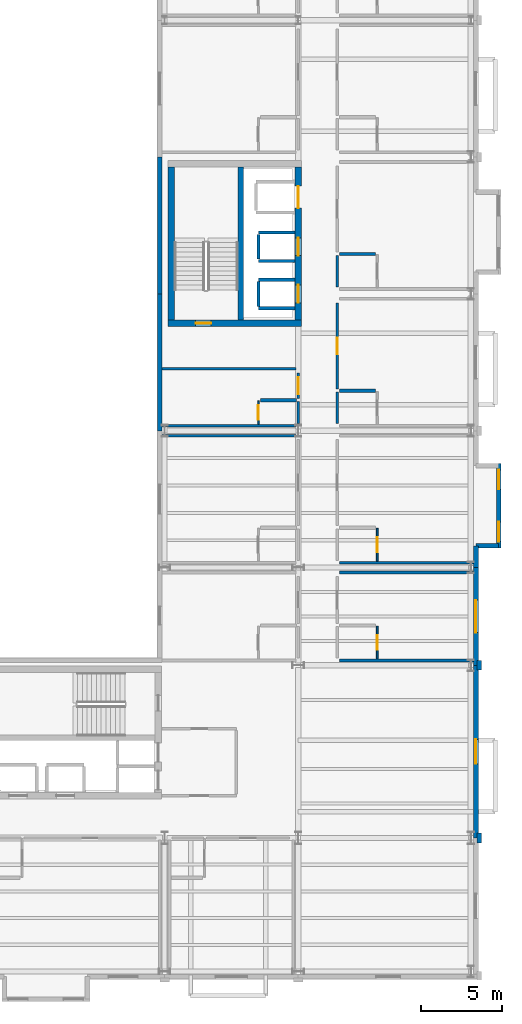
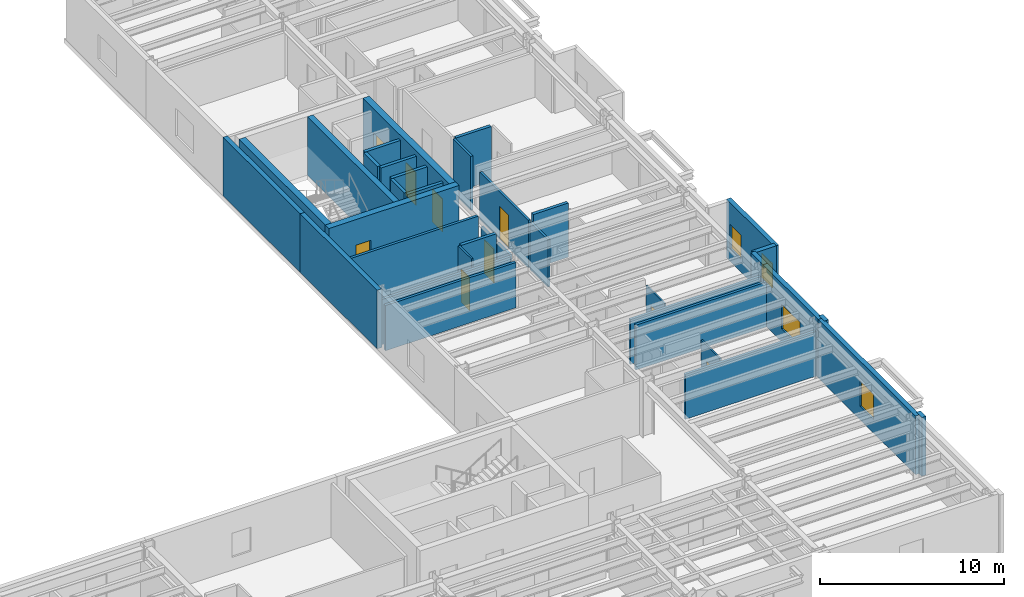
# One storey, part 49 of 59: 36 walls, 9 doors, 4 windows, 13 openings.
"""IFC4 building model written with IfcOpenShell, lengths in metres."""

from ifc_helpers import new_model, si_unit, direction, frame, frame_2d, origin, place, context, subcontext, project, spatial, rectangle, extrude, material, layer, layer_set, type_object, element, fill, save


model = new_model("IFC4")

# Units and contexts
model_context = context("Model", 3, precision=1e-05, world=origin(), true_north=direction((0.0, 1.0)))
body_context = subcontext(model_context, "Body", "Model", "MODEL_VIEW")
ifc_project = project(units=[si_unit("LENGTHUNIT", "METRE"), si_unit("AREAUNIT", "SQUARE_METRE"), si_unit("VOLUMEUNIT", "CUBIC_METRE"), si_unit("PLANEANGLEUNIT", "RADIAN"), si_unit("MASSUNIT", "GRAM", prefix="KILO")], contexts=[model_context])

# Site, building, storey
site_placement = place(None, origin())
site = spatial("IfcSite", under=ifc_project, at=site_placement, CompositionType="ELEMENT")
building_placement = place(site_placement, origin())
building = spatial("IfcBuilding", under=site, at=building_placement, Name="Sollismere Congress Hotel", CompositionType="ELEMENT")
storey_placement = place(building_placement, frame((0.0, 0.0, 15.60009765625)))
storey = spatial("IfcBuildingStorey", under=building, at=storey_placement, Name="L03", CompositionType="ELEMENT", Elevation=15.60009765625)

# Wall, opening, window
ifc_material_1 = material(Name="Colorado Buff Sandstone Rainscreen on Insulated Backup", Category="masonry")
ifc_layer_1 = layer(ifc_material_1, 0.284912109375, Name="Colorado Buff Sandstone Rainscreen on Insulated Backup")
ifc_layer_set_1 = layer_set([ifc_layer_1], Name="Colorado Buff Sandstone Rainscreen on Insulated Backup")
wall_type_1 = type_object("IfcWallType", Name="WL-EXT285", PredefinedType="STANDARD", material=ifc_layer_set_1)
wall_1_placement = place(storey_placement, frame((166.31005859375, 8.199951171875, 0.0), z_axis=(0.0, 0.0, 1.0), x_axis=(0.0, 1.0, 0.0)))
wall_1 = element("IfcWall", 1, at=wall_1_placement, inside=storey, type_object=wall_type_1, Name="Exterior wall EW-L03-435", PredefinedType="STANDARD", context=body_context, shape_type="SweptSolid", body=[
    extrude(rectangle(XDim=10.60009765625, YDim=0.284912109375, at=frame_2d((5.300048828125, 0.0))), origin(), (0.0, 0.0, 1.0), 3.89990234375),
])
opening_1_placement = place(wall_1_placement, frame((4.550048828125, 0.0, 0.8798828125)))
opening_1 = element("IfcOpeningElement", 2, at=opening_1_placement, cuts=wall_1, Name="Opening W-L03-338", PredefinedType="OPENING", context=body_context, shape_type="SweptSolid", body=[
    extrude(rectangle(XDim=1.5, YDim=1.699951171875, at=frame_2d((0.75, 0.85009765625))), frame((0.0, 0.15234375, 0.0), z_axis=(0.0, -1.0, 0.0), x_axis=(1.0, 0.0, 0.0)), (0.0, 0.0, 1.0), 0.304931640625),
])
ifc_material_2 = material(Name="Thermally Broken Bronze Aluminum & Low-E Glass", Category="aluminium")
window_type_1 = type_object("IfcWindowType", Name="WN-P150x170", PartitioningType="SINGLE_PANEL", PredefinedType="WINDOW", material=ifc_material_2)
window_1_placement = place(opening_1_placement, origin())
window_1 = element("IfcWindow", 3, at=window_1_placement, inside=storey, type_object=window_type_1, Name="WIN-W-L03-338", OverallHeight=1.699951171875, OverallWidth=1.5, PartitioningType="SINGLE_PANEL", PredefinedType="WINDOW", context=body_context, shape_type="SweptSolid", body=[
    extrude(rectangle(XDim=1.5, YDim=1.699951171875, at=frame_2d((0.75, 0.85009765625))), frame((0.0, 0.030029296875, 0.0), z_axis=(0.0, -1.0, 0.0), x_axis=(1.0, 0.0, 0.0)), (0.0, 0.0, 1.0), 0.06005859375),
])
fill(opening_1, window_1)

wall_2_placement = place(storey_placement, frame((166.31005859375, 18.800048828125, 0.0), z_axis=(0.0, 0.0, 1.0), x_axis=(0.0, 1.0, 0.0)))
wall_2 = element("IfcWall", 4, at=wall_2_placement, inside=storey, type_object=wall_type_1, Name="Exterior wall EW-L03-437", PredefinedType="STANDARD", context=body_context, shape_type="SweptSolid", body=[
    extrude(rectangle(XDim=6.0, YDim=0.284912109375, at=frame_2d((3.0, 0.0))), origin(), (0.0, 0.0, 1.0), 3.89990234375),
])
opening_2_placement = place(wall_2_placement, frame((2.0, 0.0, 0.85009765625)))
opening_2 = element("IfcOpeningElement", 5, at=opening_2_placement, cuts=wall_2, Name="Opening W-L03-339", PredefinedType="OPENING", context=body_context, shape_type="SweptSolid", body=[
    extrude(rectangle(XDim=2.0, YDim=1.64990234375, at=frame_2d((1.0, 0.824951171875))), frame((0.0, 0.15234375, 0.0), z_axis=(0.0, -1.0, 0.0), x_axis=(1.0, 0.0, 0.0)), (0.0, 0.0, 1.0), 0.304931640625),
])
window_type_2 = type_object("IfcWindowType", Name="WN-P200x165", PartitioningType="SINGLE_PANEL", PredefinedType="WINDOW", material=ifc_material_2)
window_2_placement = place(opening_2_placement, origin())
window_2 = element("IfcWindow", 6, at=window_2_placement, inside=storey, type_object=window_type_2, Name="WIN-W-L03-339", OverallHeight=1.64990234375, OverallWidth=2.0, PartitioningType="SINGLE_PANEL", PredefinedType="WINDOW", context=body_context, shape_type="SweptSolid", body=[
    extrude(rectangle(XDim=2.0, YDim=1.64990234375, at=frame_2d((1.0, 0.824951171875))), frame((0.0, 0.030029296875, 0.0), z_axis=(0.0, -1.0, 0.0), x_axis=(1.0, 0.0, 0.0)), (0.0, 0.0, 1.0), 0.06005859375),
])
fill(opening_2, window_2)

# Wall
wall_3_placement = place(storey_placement, frame((166.31005859375, 24.800048828125, 0.0), z_axis=(0.0, 0.0, 1.0), x_axis=(0.0, 1.0, 0.0)))
element("IfcWall", 7, at=wall_3_placement, inside=storey, type_object=wall_type_1, Name="Exterior wall EW-L03-439", PredefinedType="STANDARD", context=body_context, shape_type="SweptSolid", body=[
    extrude(rectangle(XDim=1.33984375, YDim=0.284912109375, at=frame_2d((0.669921875, 0.0))), origin(), (0.0, 0.0, 1.0), 3.89990234375),
])

# Wall, openings, windows
wall_4_placement = place(storey_placement, frame((167.699951171875, 26.0, 0.0), z_axis=(0.0, 0.0, 1.0), x_axis=(0.0, 1.0, 0.0)))
wall_4 = element("IfcWall", 8, at=wall_4_placement, inside=storey, type_object=wall_type_1, Name="Exterior wall EW-L03-441", PredefinedType="STANDARD", context=body_context, shape_type="SweptSolid", body=[
    extrude(rectangle(XDim=5.199951171875, YDim=0.284912109375, at=frame_2d((2.60009765625, 0.0))), origin(), (0.0, 0.0, 1.0), 3.89990234375),
])
opening_3_placement = place(wall_4_placement, frame((0.39990234375, 0.0, 0.85009765625)))
opening_3 = element("IfcOpeningElement", 9, at=opening_3_placement, cuts=wall_4, Name="Opening W-L03-340", PredefinedType="OPENING", context=body_context, shape_type="SweptSolid", body=[
    extrude(rectangle(XDim=1.199951171875, YDim=1.60009765625, at=frame_2d((0.60009765625, 0.800048828125))), frame((0.0, 0.15234375, 0.0), z_axis=(0.0, -1.0, 0.0), x_axis=(1.0, 0.0, 0.0)), (0.0, 0.0, 1.0), 0.304931640625),
])
opening_4_placement = place(wall_4_placement, frame((3.60009765625, 0.0, 0.85009765625)))
opening_4 = element("IfcOpeningElement", 10, at=opening_4_placement, cuts=wall_4, Name="Opening W-L03-341", PredefinedType="OPENING", context=body_context, shape_type="SweptSolid", body=[
    extrude(rectangle(XDim=1.199951171875, YDim=1.60009765625, at=frame_2d((0.60009765625, 0.800048828125))), frame((0.0, 0.15234375, 0.0), z_axis=(0.0, -1.0, 0.0), x_axis=(1.0, 0.0, 0.0)), (0.0, 0.0, 1.0), 0.304931640625),
])
window_type_3 = type_object("IfcWindowType", Name="WN-P120x160", PartitioningType="SINGLE_PANEL", PredefinedType="WINDOW", material=ifc_material_2)
window_3_placement = place(opening_3_placement, origin())
window_3 = element("IfcWindow", 11, at=window_3_placement, inside=storey, type_object=window_type_3, Name="WIN-W-L03-340", OverallHeight=1.60009765625, OverallWidth=1.199951171875, PartitioningType="SINGLE_PANEL", PredefinedType="WINDOW", context=body_context, shape_type="SweptSolid", body=[
    extrude(rectangle(XDim=1.199951171875, YDim=1.60009765625, at=frame_2d((0.60009765625, 0.800048828125))), frame((0.0, 0.030029296875, 0.0), z_axis=(0.0, -1.0, 0.0), x_axis=(1.0, 0.0, 0.0)), (0.0, 0.0, 1.0), 0.06005859375),
])
fill(opening_3, window_3)
window_4_placement = place(opening_4_placement, origin())
window_4 = element("IfcWindow", 12, at=window_4_placement, inside=storey, type_object=window_type_3, Name="WIN-W-L03-341", OverallHeight=1.60009765625, OverallWidth=1.199951171875, PartitioningType="SINGLE_PANEL", PredefinedType="WINDOW", context=body_context, shape_type="SweptSolid", body=[
    extrude(rectangle(XDim=1.199951171875, YDim=1.60009765625, at=frame_2d((0.60009765625, 0.800048828125))), frame((0.0, 0.030029296875, 0.0), z_axis=(0.0, -1.0, 0.0), x_axis=(1.0, 0.0, 0.0)), (0.0, 0.0, 1.0), 0.06005859375),
])
fill(opening_4, window_4)

# Walls
wall_5_placement = place(storey_placement, frame((166.31005859375, 26.139892578125, 0.0), z_axis=(0.0, 0.0, 1.0), x_axis=(1.0, 0.0, 0.0)))
element("IfcWall", 13, at=wall_5_placement, inside=storey, type_object=wall_type_1, Name="Exterior wall EW-L03-442", PredefinedType="STANDARD", context=body_context, shape_type="SweptSolid", body=[
    extrude(rectangle(XDim=1.389892578125, YDim=0.284912109375, at=frame_2d((0.69482421875, 0.0))), origin(), (0.0, 0.0, 1.0), 3.89990234375),
])
wall_6_placement = place(storey_placement, frame((146.889892578125, 33.199951171875, 0.0), z_axis=(0.0, 0.0, 1.0), x_axis=(0.0, 1.0, 0.0)))
element("IfcWall", 14, at=wall_6_placement, inside=storey, type_object=wall_type_1, Name="Exterior wall EW-L03-469", PredefinedType="STANDARD", context=body_context, shape_type="SweptSolid", body=[
    extrude(rectangle(XDim=8.400146484375, YDim=0.284912109375, at=frame_2d((4.2001953125, 0.0))), origin(), (0.0, 0.0, 1.0), 3.89990234375),
])
wall_7_placement = place(storey_placement, frame((146.889892578125, 41.60009765625, 0.0), z_axis=(0.0, 0.0, 1.0), x_axis=(0.0, 1.0, 0.0)))
element("IfcWall", 15, at=wall_7_placement, inside=storey, type_object=wall_type_1, Name="Exterior wall EW-L03-470", PredefinedType="STANDARD", context=body_context, shape_type="SweptSolid", body=[
    extrude(rectangle(XDim=8.39990234375, YDim=0.284912109375, at=frame_2d((4.199951171875, 0.0))), origin(), (0.0, 0.0, 1.0), 3.89990234375),
])
ifc_material_3 = material(Name="Carved Travertine Pilaster & Frieze Assembly", Category="masonry")
ifc_layer_2 = layer(ifc_material_3, 0.260009765625, Name="Carved Travertine Pilaster & Frieze Assembly")
ifc_layer_set_2 = layer_set([ifc_layer_2], Name="Carved Travertine Pilaster & Frieze Assembly")
wall_type_2 = type_object("IfcWallType", Name="WL-PIL280", PredefinedType="ELEMENTEDWALL", material=ifc_layer_set_2)
for number, where, z_axis, x_axis, name in (
    (16, (166.52001953125, 7.89990234375, 0.0), (0.0, 0.0, 1.0), (0.0, 1.0, 0.0), "Exterior wall EW-L03-436"),
    (17, (166.52001953125, 18.5, 0.0), (0.0, 0.0, 1.0), (0.0, 1.0, 0.0), "Exterior wall EW-L03-438"),
):
    element("IfcWall", number, at=place(storey_placement, frame(where, z_axis=z_axis, x_axis=x_axis)), inside=storey, type_object=wall_type_2, Name=name, PredefinedType="ELEMENTEDWALL", context=body_context, shape_type="SweptSolid", body=[
        extrude(rectangle(XDim=0.60009765625, YDim=0.260009765625, at=frame_2d((0.300048828125, 0.0))), origin(), (0.0, 0.0, 1.0), 3.89990234375),
    ])
ifc_material_4 = material(Name="Moisture-Resistant Shaft Gypsum Assembly")
ifc_layer_3 = layer(ifc_material_4, 0.199951171875, Name="Moisture-Resistant Shaft Gypsum Assembly")
ifc_layer_set_3 = layer_set([ifc_layer_3], Name="Moisture-Resistant Shaft Gypsum Assembly")
wall_type_3 = type_object("IfcWallType", Name="WL-PLM200", PredefinedType="PLUMBINGWALL", material=ifc_layer_set_3)
for number, where, z_axis, x_axis, name in (
    (18, (152.955078125, 40.72998046875, 0.0), (0.0, 0.0, 1.0), (1.0, 0.0, 0.0), "Interior wall IW-L03-0439"),
    (19, (152.955078125, 42.469970703125, 0.0), (0.0, 0.0, 1.0), (1.0, 0.0, 0.0), "Interior wall IW-L03-0440"),
):
    element("IfcWall", number, at=place(storey_placement, frame(where, z_axis=z_axis, x_axis=x_axis)), inside=storey, type_object=wall_type_3, Name=name, PredefinedType="PLUMBINGWALL", context=body_context, shape_type="SweptSolid", body=[
        extrude(rectangle(XDim=2.23291015625, YDim=0.199951171875, at=frame_2d((1.116455078125, 0.0))), origin(), (0.0, 0.0, 1.0), 3.599853515625),
    ])
wall_8_placement = place(storey_placement, frame((152.955078125, 40.842041015625, 0.0), z_axis=(0.0, 0.0, 1.0), x_axis=(0.0, 1.0, 0.0)))
element("IfcWall", 20, at=wall_8_placement, inside=storey, type_object=wall_type_3, Name="Interior wall IW-L03-0441", PredefinedType="PLUMBINGWALL", context=body_context, shape_type="SweptSolid", body=[
    extrude(rectangle(XDim=1.515869140625, YDim=0.199951171875, at=frame_2d((0.7578125, 0.0))), origin(), (0.0, 0.0, 1.0), 3.599853515625),
])
for number, where, z_axis, x_axis, name in (
    (21, (152.955078125, 43.6298828125, 0.0), (0.0, 0.0, 1.0), (1.0, 0.0, 0.0), "Interior wall IW-L03-0442"),
    (22, (152.955078125, 45.3701171875, 0.0), (0.0, 0.0, 1.0), (1.0, 0.0, 0.0), "Interior wall IW-L03-0443"),
):
    element("IfcWall", number, at=place(storey_placement, frame(where, z_axis=z_axis, x_axis=x_axis)), inside=storey, type_object=wall_type_3, Name=name, PredefinedType="PLUMBINGWALL", context=body_context, shape_type="SweptSolid", body=[
        extrude(rectangle(XDim=2.23291015625, YDim=0.199951171875, at=frame_2d((1.116455078125, 0.0))), origin(), (0.0, 0.0, 1.0), 3.599853515625),
    ])
wall_9_placement = place(storey_placement, frame((152.955078125, 43.741943359375, 0.0), z_axis=(0.0, 0.0, 1.0), x_axis=(0.0, 1.0, 0.0)))
element("IfcWall", 23, at=wall_9_placement, inside=storey, type_object=wall_type_3, Name="Interior wall IW-L03-0444", PredefinedType="PLUMBINGWALL", context=body_context, shape_type="SweptSolid", body=[
    extrude(rectangle(XDim=1.51611328125, YDim=0.199951171875, at=frame_2d((0.758056640625, 0.0))), origin(), (0.0, 0.0, 1.0), 3.599853515625),
])
for number, where, z_axis, x_axis, name in (
    (24, (157.919921875, 35.64990234375, 0.0), (0.0, 0.0, 1.0), (1.0, 0.0, 0.0), "Interior wall IW-L03-1399"),
    (25, (153.070068359375, 35.074951171875, 0.0), (0.0, 0.0, 1.0), (1.0, 0.0, 0.0), "Interior wall IW-L03-1405"),
    (26, (157.919921875, 44.050048828125, 0.0), (0.0, 0.0, 1.0), (1.0, 0.0, 0.0), "Interior wall IW-L03-1411"),
):
    element("IfcWall", number, at=place(storey_placement, frame(where, z_axis=z_axis, x_axis=x_axis)), inside=storey, type_object=wall_type_3, Name=name, PredefinedType="PLUMBINGWALL", context=body_context, shape_type="SweptSolid", body=[
        extrude(rectangle(XDim=2.2099609375, YDim=0.199951171875, at=frame_2d((1.10498046875, 0.0))), origin(), (0.0, 0.0, 1.0), 3.599853515625),
    ])

# Wall, opening, door
ifc_material_5 = material(Name="Moisture-Resistant Gypsum Partition")
ifc_layer_4 = layer(ifc_material_5, 0.10009765625, Name="Moisture-Resistant Gypsum Partition")
ifc_layer_set_4 = layer_set([ifc_layer_4], Name="Moisture-Resistant Gypsum Partition")
wall_type_4 = type_object("IfcWallType", Name="WL-PRT100", PredefinedType="PARTITIONING", material=ifc_layer_set_4)
wall_10_placement = place(storey_placement, frame((160.25, 19.194580078125, 0.0), z_axis=(0.0, 0.0, 1.0), x_axis=(0.0, 1.0, 0.0)))
wall_10 = element("IfcWall", 27, at=wall_10_placement, inside=storey, type_object=wall_type_4, Name="Interior wall IW-L03-1376", PredefinedType="PARTITIONING", context=body_context, shape_type="SweptSolid", body=[
    extrude(rectangle(XDim=2.015380859375, YDim=0.10009765625, at=frame_2d((1.0078125, 0.0))), origin(), (0.0, 0.0, 1.0), 3.157958984375),
])
opening_5_placement = place(wall_10_placement, frame((0.568115234375, 0.0, 0.0)))
opening_5 = element("IfcOpeningElement", 28, at=opening_5_placement, cuts=wall_10, Name="Opening D-L03-0486", PredefinedType="OPENING", context=body_context, shape_type="SweptSolid", body=[
    extrude(rectangle(XDim=0.8798828125, YDim=2.10009765625, at=frame_2d((0.43994140625, 1.050048828125))), frame((0.0, 0.06005859375, 0.0), z_axis=(0.0, -1.0, 0.0), x_axis=(1.0, 0.0, 0.0)), (0.0, 0.0, 1.0), 0.1201171875),
])
ifc_material_6 = material(Name="Moisture-Sealed Timber Bathroom Door", Category="wood")
door_type_1 = type_object("IfcDoorType", Name="DR-BT01", OperationType="NOTDEFINED", PredefinedType="DOOR", material=ifc_material_6)
door_1_placement = place(opening_5_placement, origin())
door_1 = element("IfcDoor", 29, at=door_1_placement, inside=storey, type_object=door_type_1, Name="En-suite bathroom door D-L03-0486", OperationType="SINGLE_SWING_LEFT", OverallHeight=2.10009765625, OverallWidth=0.8798828125, PredefinedType="DOOR", context=body_context, shape_type="SweptSolid", body=[
    extrude(rectangle(XDim=0.8798828125, YDim=2.10009765625, at=frame_2d((0.43994140625, 1.050048828125))), frame((0.0, 0.02490234375, 0.0), z_axis=(0.0, -1.0, 0.0), x_axis=(1.0, 0.0, 0.0)), (0.0, 0.0, 1.0), 0.050048828125),
])
fill(opening_5, door_1)

wall_11_placement = place(storey_placement, frame((160.25, 25.194580078125, 0.0), z_axis=(0.0, 0.0, 1.0), x_axis=(0.0, 1.0, 0.0)))
wall_11 = element("IfcWall", 30, at=wall_11_placement, inside=storey, type_object=wall_type_4, Name="Interior wall IW-L03-1388", PredefinedType="PARTITIONING", context=body_context, shape_type="SweptSolid", body=[
    extrude(rectangle(XDim=2.015380859375, YDim=0.10009765625, at=frame_2d((1.0078125, 0.0))), origin(), (0.0, 0.0, 1.0), 3.157958984375),
])
opening_6_placement = place(wall_11_placement, frame((0.54296875, 0.0, 0.0)))
opening_6 = element("IfcOpeningElement", 31, at=opening_6_placement, cuts=wall_11, Name="Opening D-L03-0490", PredefinedType="OPENING", context=body_context, shape_type="SweptSolid", body=[
    extrude(rectangle(XDim=0.929931640625, YDim=2.139892578125, at=frame_2d((0.46484375, 1.06982421875))), frame((0.0, 0.06005859375, 0.0), z_axis=(0.0, -1.0, 0.0), x_axis=(1.0, 0.0, 0.0)), (0.0, 0.0, 1.0), 0.1201171875),
])
door_type_2 = type_object("IfcDoorType", Name="DR-BT03", OperationType="NOTDEFINED", PredefinedType="DOOR", material=ifc_material_6)
door_2_placement = place(opening_6_placement, origin())
door_2 = element("IfcDoor", 32, at=door_2_placement, inside=storey, type_object=door_type_2, Name="En-suite bathroom door D-L03-0490", OperationType="SINGLE_SWING_LEFT", OverallHeight=2.139892578125, OverallWidth=0.929931640625, PredefinedType="DOOR", context=body_context, shape_type="SweptSolid", body=[
    extrude(rectangle(XDim=0.929931640625, YDim=2.139892578125, at=frame_2d((0.46484375, 1.06982421875))), frame((0.0, 0.02490234375, 0.0), z_axis=(0.0, -1.0, 0.0), x_axis=(1.0, 0.0, 0.0)), (0.0, 0.0, 1.0), 0.050048828125),
])
fill(opening_6, door_2)

wall_12_placement = place(storey_placement, frame((152.949951171875, 33.594482421875, 0.0), z_axis=(0.0, 0.0, 1.0), x_axis=(0.0, 1.0, 0.0)))
wall_12 = element("IfcWall", 33, at=wall_12_placement, inside=storey, type_object=wall_type_4, Name="Interior wall IW-L03-1406", PredefinedType="PARTITIONING", context=body_context, shape_type="SweptSolid", body=[
    extrude(rectangle(XDim=1.4404296875, YDim=0.10009765625, at=frame_2d((0.72021484375, 0.0))), origin(), (0.0, 0.0, 1.0), 3.599853515625),
])
opening_7_placement = place(wall_12_placement, frame((0.26806640625, 0.0, 0.0)))
opening_7 = element("IfcOpeningElement", 34, at=opening_7_placement, cuts=wall_12, Name="Opening D-L03-0496", PredefinedType="OPENING", context=body_context, shape_type="SweptSolid", body=[
    extrude(rectangle(XDim=0.905029296875, YDim=2.179931640625, at=frame_2d((0.45263671875, 1.08984375))), frame((0.0, 0.06005859375, 0.0), z_axis=(0.0, -1.0, 0.0), x_axis=(1.0, 0.0, 0.0)), (0.0, 0.0, 1.0), 0.1201171875),
])
door_type_3 = type_object("IfcDoorType", Name="DR-BT06", OperationType="NOTDEFINED", PredefinedType="DOOR", material=ifc_material_6)
door_3_placement = place(opening_7_placement, origin())
door_3 = element("IfcDoor", 35, at=door_3_placement, inside=storey, type_object=door_type_3, Name="En-suite bathroom door D-L03-0496", OperationType="SINGLE_SWING_LEFT", OverallHeight=2.179931640625, OverallWidth=0.905029296875, PredefinedType="DOOR", context=body_context, shape_type="SweptSolid", body=[
    extrude(rectangle(XDim=0.905029296875, YDim=2.179931640625, at=frame_2d((0.45263671875, 1.08984375))), frame((0.0, 0.02490234375, 0.0), z_axis=(0.0, -1.0, 0.0), x_axis=(1.0, 0.0, 0.0)), (0.0, 0.0, 1.0), 0.050048828125),
])
fill(opening_7, door_3)

# Wall
ifc_material_7 = material(Name="Fire-Rated Gypsum Partition")
ifc_layer_5 = layer(ifc_material_7, 0.139892578125, Name="Fire-Rated Gypsum Partition")
ifc_layer_set_5 = layer_set([ifc_layer_5], Name="Fire-Rated Gypsum Partition")
wall_type_5 = type_object("IfcWallType", Name="WL-PRT140R", PredefinedType="PARTITIONING", material=ifc_layer_set_5)
wall_13_placement = place(storey_placement, frame((157.800048828125, 33.639892578125, 0.0), z_axis=(0.0, 0.0, 1.0), x_axis=(0.0, 1.0, 0.0)))
element("IfcWall", 36, at=wall_13_placement, inside=storey, type_object=wall_type_5, Name="Interior wall IW-L03-1395", PredefinedType="PARTITIONING", context=body_context, shape_type="SweptSolid", body=[
    extrude(rectangle(XDim=1.93017578125, YDim=0.139892578125, at=frame_2d((0.965087890625, 0.0))), origin(), (0.0, 0.0, 1.0), 3.15283203125),
])

# Wall, opening, door
wall_14_placement = place(storey_placement, frame((157.800048828125, 35.77001953125, 0.0), z_axis=(0.0, 0.0, 1.0), x_axis=(0.0, 1.0, 0.0)))
wall_14 = element("IfcWall", 37, at=wall_14_placement, inside=storey, type_object=wall_type_5, Name="Interior wall IW-L03-1396", PredefinedType="PARTITIONING", context=body_context, shape_type="SweptSolid", body=[
    extrude(rectangle(XDim=5.2900390625, YDim=0.139892578125, at=frame_2d((2.64501953125, 0.0))), origin(), (0.0, 0.0, 1.0), 3.15283203125),
])
opening_8_placement = place(wall_14_placement, frame((2.139892578125, 0.0, 0.0)))
opening_8 = element("IfcOpeningElement", 38, at=opening_8_placement, cuts=wall_14, Name="Opening D-L03-0493", PredefinedType="OPENING", context=body_context, shape_type="SweptSolid", body=[
    extrude(rectangle(XDim=1.010009765625, YDim=2.199951171875, at=frame_2d((0.5048828125, 1.10009765625))), frame((0.0, 0.079833984375, 0.0), z_axis=(0.0, -1.0, 0.0), x_axis=(1.0, 0.0, 0.0)), (0.0, 0.0, 1.0), 0.159912109375),
])
ifc_material_8 = material(Name="Solid-Core Acoustic Walnut Guestroom Entry Door")
door_type_4 = type_object("IfcDoorType", Name="DR-KY04", OperationType="NOTDEFINED", PredefinedType="DOOR", material=ifc_material_8)
door_4_placement = place(opening_8_placement, origin())
door_4 = element("IfcDoor", 39, at=door_4_placement, inside=storey, type_object=door_type_4, Name="Hotel room entry door D-L03-0493", OperationType="SINGLE_SWING_RIGHT", OverallHeight=2.199951171875, OverallWidth=1.010009765625, PredefinedType="DOOR", context=body_context, shape_type="SweptSolid", body=[
    extrude(rectangle(XDim=1.010009765625, YDim=2.199951171875, at=frame_2d((0.5048828125, 1.10009765625))), frame((0.0, 0.02490234375, 0.0), z_axis=(0.0, -1.0, 0.0), x_axis=(1.0, 0.0, 0.0)), (0.0, 0.0, 1.0), 0.050048828125),
])
fill(opening_8, door_4)

# Wall
wall_15_placement = place(storey_placement, frame((155.39990234375, 33.639892578125, 0.0), z_axis=(0.0, 0.0, 1.0), x_axis=(0.0, 1.0, 0.0)))
element("IfcWall", 40, at=wall_15_placement, inside=storey, type_object=wall_type_5, Name="Interior wall IW-L03-1401", PredefinedType="PARTITIONING", context=body_context, shape_type="SweptSolid", body=[
    extrude(rectangle(XDim=1.355224609375, YDim=0.139892578125, at=frame_2d((0.677734375, 0.0))), origin(), (0.0, 0.0, 1.0), 2.989990234375),
])

# Wall, opening, door
wall_16_placement = place(storey_placement, frame((155.39990234375, 35.195068359375, 0.0), z_axis=(0.0, 0.0, 1.0), x_axis=(0.0, 1.0, 0.0)))
wall_16 = element("IfcWall", 41, at=wall_16_placement, inside=storey, type_object=wall_type_5, Name="Interior wall IW-L03-1402", PredefinedType="PARTITIONING", context=body_context, shape_type="SweptSolid", body=[
    extrude(rectangle(XDim=1.56494140625, YDim=0.139892578125, at=frame_2d((0.782470703125, 0.0))), origin(), (0.0, 0.0, 1.0), 2.989990234375),
])
opening_9_placement = place(wall_16_placement, frame((0.261962890625, 0.0, 0.0)))
opening_9 = element("IfcOpeningElement", 42, at=opening_9_placement, cuts=wall_16, Name="Opening D-L03-0495", PredefinedType="OPENING", context=body_context, shape_type="SweptSolid", body=[
    extrude(rectangle(XDim=1.0400390625, YDim=2.25, at=frame_2d((0.52001953125, 1.125))), frame((0.0, 0.079833984375, 0.0), z_axis=(0.0, -1.0, 0.0), x_axis=(1.0, 0.0, 0.0)), (0.0, 0.0, 1.0), 0.159912109375),
])
door_type_5 = type_object("IfcDoorType", Name="DR-KY05", OperationType="NOTDEFINED", PredefinedType="DOOR", material=ifc_material_8)
door_5_placement = place(opening_9_placement, origin())
door_5 = element("IfcDoor", 43, at=door_5_placement, inside=storey, type_object=door_type_5, Name="Hotel room entry door D-L03-0495", OperationType="SINGLE_SWING_RIGHT", OverallHeight=2.25, OverallWidth=1.0400390625, PredefinedType="DOOR", context=body_context, shape_type="SweptSolid", body=[
    extrude(rectangle(XDim=1.0400390625, YDim=2.25, at=frame_2d((0.52001953125, 1.125))), frame((0.0, 0.02490234375, 0.0), z_axis=(0.0, -1.0, 0.0), x_axis=(1.0, 0.0, 0.0)), (0.0, 0.0, 1.0), 0.050048828125),
])
fill(opening_9, door_5)

# Walls
wall_17_placement = place(storey_placement, frame((157.800048828125, 42.0400390625, 0.0), z_axis=(0.0, 0.0, 1.0), x_axis=(0.0, 1.0, 0.0)))
element("IfcWall", 44, at=wall_17_placement, inside=storey, type_object=wall_type_5, Name="Interior wall IW-L03-1407", PredefinedType="PARTITIONING", context=body_context, shape_type="SweptSolid", body=[
    extrude(rectangle(XDim=1.929931640625, YDim=0.139892578125, at=frame_2d((0.96484375, 0.0))), origin(), (0.0, 0.0, 1.0), 3.599853515625),
])
ifc_material_9 = material(Name="Fire-Rated Acoustic Gypsum Partition")
ifc_layer_6 = layer(ifc_material_9, 0.1650390625, Name="Fire-Rated Acoustic Gypsum Partition")
ifc_layer_set_6 = layer_set([ifc_layer_6], Name="Fire-Rated Acoustic Gypsum Partition")
wall_type_6 = type_object("IfcWallType", Name="WL-PRT165R", PredefinedType="PARTITIONING", material=ifc_layer_set_6)
for number, where, z_axis, x_axis, name in (
    (45, (157.93994140625, 19.10009765625, 0.0), (0.0, 0.0, 1.0), (1.0, 0.0, 0.0), "Interior wall IW-L03-1373"),
    (46, (157.93994140625, 24.5, 0.0), (0.0, 0.0, 1.0), (1.0, 0.0, 0.0), "Interior wall IW-L03-1374"),
    (47, (157.93994140625, 25.10009765625, 0.0), (0.0, 0.0, 1.0), (1.0, 0.0, 0.0), "Interior wall IW-L03-1385"),
):
    element("IfcWall", number, at=place(storey_placement, frame(where, z_axis=z_axis, x_axis=x_axis)), inside=storey, type_object=wall_type_6, Name=name, PredefinedType="PARTITIONING", context=body_context, shape_type="SweptSolid", body=[
        extrude(rectangle(XDim=8.212646484375, YDim=0.1650390625, at=frame_2d((4.1064453125, 0.0))), origin(), (0.0, 0.0, 1.0), 2.989990234375),
    ])
for number, where, z_axis, x_axis, name in (
    (48, (147.047607421875, 32.89990234375, 0.0), (0.0, 0.0, 1.0), (1.0, 0.0, 0.0), "Interior wall IW-L03-1392"),
    (49, (147.047607421875, 33.5, 0.0), (0.0, 0.0, 1.0), (1.0, 0.0, 0.0), "Interior wall IW-L03-1403"),
):
    element("IfcWall", number, at=place(storey_placement, frame(where, z_axis=z_axis, x_axis=x_axis)), inside=storey, type_object=wall_type_6, Name=name, PredefinedType="PARTITIONING", context=body_context, shape_type="SweptSolid", body=[
        extrude(rectangle(XDim=8.21240234375, YDim=0.1650390625, at=frame_2d((4.106201171875, 0.0))), origin(), (0.0, 0.0, 1.0), 3.012939453125),
    ])
wall_18_placement = place(storey_placement, frame((147.047607421875, 37.0, 0.0), z_axis=(0.0, 0.0, 1.0), x_axis=(1.0, 0.0, 0.0)))
element("IfcWall", 50, at=wall_18_placement, inside=storey, type_object=wall_type_6, Name="Interior wall IW-L03-1404", PredefinedType="PARTITIONING", context=body_context, shape_type="SweptSolid", body=[
    extrude(rectangle(XDim=8.21240234375, YDim=0.1650390625, at=frame_2d((4.106201171875, 0.0))), origin(), (0.0, 0.0, 1.0), 3.599853515625),
])
ifc_material_10 = material(Name="Concrete C50/60", Category="concrete")
ifc_layer_7 = layer(ifc_material_10, 0.35009765625, Name="Concrete C50/60")
ifc_layer_set_7 = layer_set([ifc_layer_7], Name="Concrete C50/60")
wall_type_7 = type_object("IfcWallType", Name="WL-SHR350", PredefinedType="SHEAR", material=ifc_layer_set_7)
wall_19_placement = place(storey_placement, frame((151.875, 40.0, 0.0), z_axis=(0.0, 0.0, 1.0), x_axis=(0.0, 1.0, 0.0)))
element("IfcWall", 51, at=wall_19_placement, inside=storey, type_object=wall_type_7, Name="Interior wall IW-L03-0438", PredefinedType="SHEAR", context=body_context, shape_type="SweptSolid", body=[
    extrude(rectangle(XDim=9.39990234375, YDim=0.35009765625, at=frame_2d((4.699951171875, 0.0))), origin(), (0.0, 0.0, 1.0), 3.89990234375),
])

# Wall, opening, door
ifc_layer_8 = layer(ifc_material_10, 0.39990234375, Name="Concrete C50/60")
ifc_layer_set_8 = layer_set([ifc_layer_8], Name="Concrete C50/60")
wall_type_8 = type_object("IfcWallType", Name="WL-SHR400", PredefinedType="SHEAR", material=ifc_layer_set_8)
wall_20_placement = place(storey_placement, frame((147.39990234375, 39.800048828125, 0.0), z_axis=(0.0, 0.0, 1.0), x_axis=(1.0, 0.0, 0.0)))
wall_20 = element("IfcWall", 52, at=wall_20_placement, inside=storey, type_object=wall_type_8, Name="Interior wall IW-L03-0434", PredefinedType="SHEAR", context=body_context, shape_type="SweptSolid", body=[
    extrude(rectangle(XDim=8.2001953125, YDim=0.39990234375, at=frame_2d((4.10009765625, 0.0))), origin(), (0.0, 0.0, 1.0), 3.89990234375),
])
opening_10_placement = place(wall_20_placement, frame((1.699951171875, 0.0, 0.0)))
opening_10 = element("IfcOpeningElement", 53, at=opening_10_placement, cuts=wall_20, Name="Opening D-ST-03-L03", PredefinedType="OPENING", context=body_context, shape_type="SweptSolid", body=[
    extrude(rectangle(XDim=0.949951171875, YDim=2.199951171875, at=frame_2d((0.47509765625, 1.10009765625))), frame((0.0, 0.2099609375, 0.0), z_axis=(0.0, -1.0, 0.0), x_axis=(1.0, 0.0, 0.0)), (0.0, 0.0, 1.0), 0.419921875),
])
ifc_material_11 = material(Name="Fire-Rated Insulated Steel Door", Category="steel")
door_type_6 = type_object("IfcDoorType", Name="DR-FD90", OperationType="NOTDEFINED", PredefinedType="DOOR", material=ifc_material_11)
door_6_placement = place(opening_10_placement, origin())
door_6 = element("IfcDoor", 54, at=door_6_placement, inside=storey, type_object=door_type_6, Name="Exit stair fire door D-ST-03-L03", OperationType="SINGLE_SWING_LEFT", OverallHeight=2.199951171875, OverallWidth=0.949951171875, PredefinedType="DOOR", context=body_context, shape_type="SweptSolid", body=[
    extrude(rectangle(XDim=0.949951171875, YDim=2.199951171875, at=frame_2d((0.47509765625, 1.10009765625))), frame((0.0, 0.02490234375, 0.0), z_axis=(0.0, -1.0, 0.0), x_axis=(1.0, 0.0, 0.0)), (0.0, 0.0, 1.0), 0.050048828125),
])
fill(opening_10, door_6)

# Wall
wall_21_placement = place(storey_placement, frame((147.60009765625, 49.39990234375, 0.0), z_axis=(0.0, 0.0, 1.0), x_axis=(0.0, -1.0, 0.0)))
element("IfcWall", 55, at=wall_21_placement, inside=storey, type_object=wall_type_8, Name="Interior wall IW-L03-0436", PredefinedType="SHEAR", context=body_context, shape_type="SweptSolid", body=[
    extrude(rectangle(XDim=9.39990234375, YDim=0.39990234375, at=frame_2d((4.699951171875, 0.0))), origin(), (0.0, 0.0, 1.0), 3.89990234375),
])

# Wall, openings, doors
wall_22_placement = place(storey_placement, frame((155.39990234375, 40.0, 0.0), z_axis=(0.0, 0.0, 1.0), x_axis=(0.0, 1.0, 0.0)))
wall_22 = element("IfcWall", 56, at=wall_22_placement, inside=storey, type_object=wall_type_8, Name="Interior wall IW-L03-0437", PredefinedType="SHEAR", context=body_context, shape_type="SweptSolid", body=[
    extrude(rectangle(XDim=9.39990234375, YDim=0.39990234375, at=frame_2d((4.699951171875, 0.0))), origin(), (0.0, 0.0, 1.0), 3.89990234375),
])
opening_11_placement = place(wall_22_placement, frame((1.050048828125, 0.0, 0.0)))
opening_11 = element("IfcOpeningElement", 57, at=opening_11_placement, cuts=wall_22, Name="Opening LD-LP-05-L03", PredefinedType="OPENING", context=body_context, shape_type="SweptSolid", body=[
    extrude(rectangle(XDim=1.10009765625, YDim=2.199951171875, at=frame_2d((0.550048828125, 1.10009765625))), frame((0.0, 0.2099609375, 0.0), z_axis=(0.0, -1.0, 0.0), x_axis=(1.0, 0.0, 0.0)), (0.0, 0.0, 1.0), 0.419921875),
])
opening_12_placement = place(wall_22_placement, frame((3.949951171875, 0.0, 0.0)))
opening_12 = element("IfcOpeningElement", 58, at=opening_12_placement, cuts=wall_22, Name="Opening LD-LP-06-L03", PredefinedType="OPENING", context=body_context, shape_type="SweptSolid", body=[
    extrude(rectangle(XDim=1.10009765625, YDim=2.199951171875, at=frame_2d((0.550048828125, 1.10009765625))), frame((0.0, 0.2099609375, 0.0), z_axis=(0.0, -1.0, 0.0), x_axis=(1.0, 0.0, 0.0)), (0.0, 0.0, 1.0), 0.419921875),
])
opening_13_placement = place(wall_22_placement, frame((6.875, 0.0, 0.0)))
opening_13 = element("IfcOpeningElement", 59, at=opening_13_placement, cuts=wall_22, Name="Opening LD-LS-02-L03", PredefinedType="OPENING", context=body_context, shape_type="SweptSolid", body=[
    extrude(rectangle(XDim=1.35009765625, YDim=2.300048828125, at=frame_2d((0.675048828125, 1.14990234375))), frame((0.0, 0.2099609375, 0.0), z_axis=(0.0, -1.0, 0.0), x_axis=(1.0, 0.0, 0.0)), (0.0, 0.0, 1.0), 0.419921875),
])
ifc_material_12 = material(Name="Brushed Bronze Sliding Elevator Landing Door")
door_type_7 = type_object("IfcDoorType", Name="DR-LD110", OperationType="NOTDEFINED", PredefinedType="DOOR", material=ifc_material_12)
door_7_placement = place(opening_11_placement, origin())
door_7 = element("IfcDoor", 60, at=door_7_placement, inside=storey, type_object=door_type_7, Name="Elevator landing door LD-LP-05-L03", OperationType="SLIDING_TO_LEFT", OverallHeight=2.199951171875, OverallWidth=1.10009765625, PredefinedType="DOOR", context=body_context, shape_type="SweptSolid", body=[
    extrude(rectangle(XDim=1.10009765625, YDim=2.199951171875, at=frame_2d((0.550048828125, 1.10009765625))), frame((0.0, 0.02490234375, 0.0), z_axis=(0.0, -1.0, 0.0), x_axis=(1.0, 0.0, 0.0)), (0.0, 0.0, 1.0), 0.050048828125),
])
fill(opening_11, door_7)
door_8_placement = place(opening_12_placement, origin())
door_8 = element("IfcDoor", 61, at=door_8_placement, inside=storey, type_object=door_type_7, Name="Elevator landing door LD-LP-06-L03", OperationType="SLIDING_TO_RIGHT", OverallHeight=2.199951171875, OverallWidth=1.10009765625, PredefinedType="DOOR", context=body_context, shape_type="SweptSolid", body=[
    extrude(rectangle(XDim=1.10009765625, YDim=2.199951171875, at=frame_2d((0.550048828125, 1.10009765625))), frame((0.0, 0.02490234375, 0.0), z_axis=(0.0, -1.0, 0.0), x_axis=(1.0, 0.0, 0.0)), (0.0, 0.0, 1.0), 0.050048828125),
])
fill(opening_12, door_8)
ifc_material_13 = material(Name="Heavy-Duty Stainless Sliding Service Landing Door")
door_type_8 = type_object("IfcDoorType", Name="DR-LD135", OperationType="NOTDEFINED", PredefinedType="DOOR", material=ifc_material_13)
door_9_placement = place(opening_13_placement, origin())
door_9 = element("IfcDoor", 62, at=door_9_placement, inside=storey, type_object=door_type_8, Name="Elevator landing door LD-LS-02-L03", OperationType="SLIDING_TO_LEFT", OverallHeight=2.300048828125, OverallWidth=1.35009765625, PredefinedType="DOOR", context=body_context, shape_type="SweptSolid", body=[
    extrude(rectangle(XDim=1.35009765625, YDim=2.300048828125, at=frame_2d((0.675048828125, 1.14990234375))), frame((0.0, 0.02490234375, 0.0), z_axis=(0.0, -1.0, 0.0), x_axis=(1.0, 0.0, 0.0)), (0.0, 0.0, 1.0), 0.050048828125),
])
fill(opening_13, door_9)

save(model, "model.ifc")
